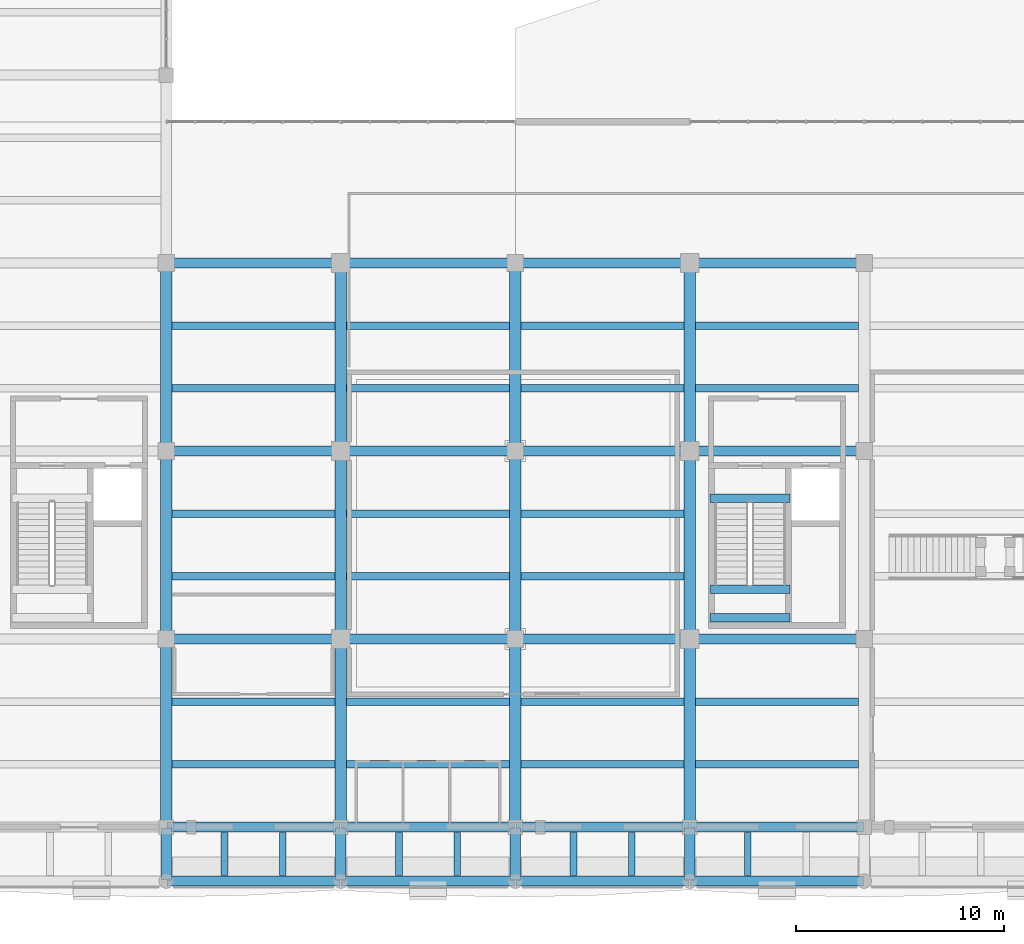
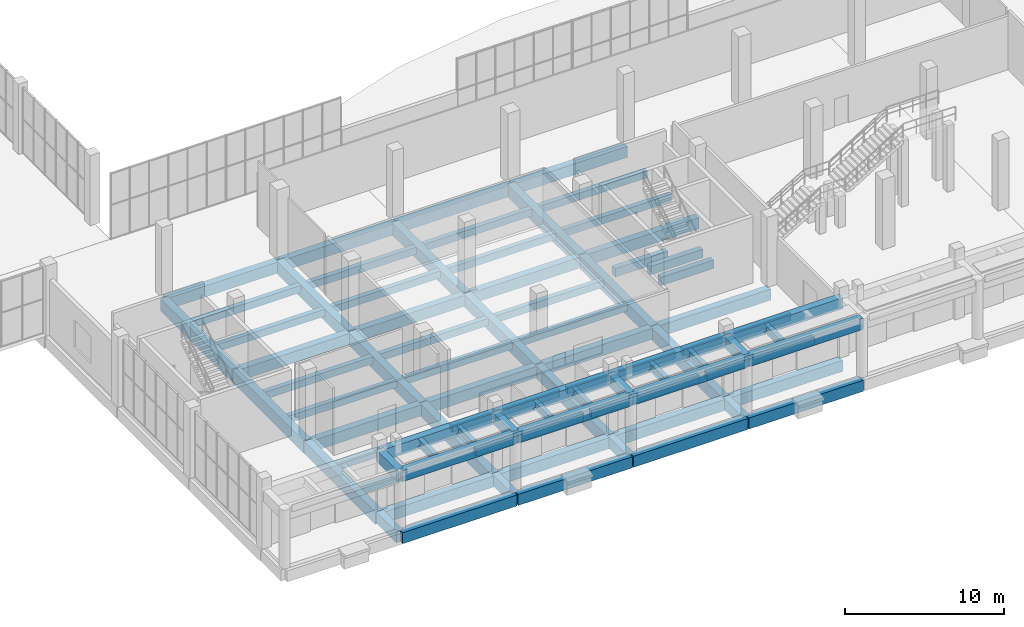
# One storey, part 7 of 91: 80 beams.
"""IFC4 building model written with IfcOpenShell, lengths in metres."""

from ifc_helpers import new_model, si_unit, direction, frame, origin, origin_2d, place, context, subcontext, project, spatial, rectangle, i_section, extrude, material, material_profile, profile_set, type_object, element, save


model = new_model("IFC4")

# Units and contexts
model_context = context("Model", 3, precision=1e-05, world=origin(), true_north=direction((0.0, 1.0)))
body_context = subcontext(model_context, "Body", "Model", "MODEL_VIEW")
ifc_project = project(units=[si_unit("LENGTHUNIT", "METRE"), si_unit("AREAUNIT", "SQUARE_METRE"), si_unit("VOLUMEUNIT", "CUBIC_METRE"), si_unit("PLANEANGLEUNIT", "RADIAN"), si_unit("MASSUNIT", "GRAM", prefix="KILO")], contexts=[model_context])

# Site, building, storey
site_placement = place(None, origin())
site = spatial("IfcSite", under=ifc_project, at=site_placement, CompositionType="ELEMENT")
building_placement = place(site_placement, origin())
building = spatial("IfcBuilding", under=site, at=building_placement, Name="Khurvash Pelagic Aquarium", CompositionType="ELEMENT")
storey_placement = place(building_placement, origin())
storey = spatial("IfcBuildingStorey", under=building, at=storey_placement, Name="L00", CompositionType="ELEMENT", Elevation=0.0)

# Beams
ifc_material_1 = material(Name="Concrete C40/50", Category="concrete")
ifc_material_profile_1 = material_profile(ifc_material_1, rectangle(XDim=0.550048828125, YDim=0.949951171875, at=origin_2d()), Name="RC550X950")
ifc_profile_set_1 = profile_set([ifc_material_profile_1], Name="Concrete C40/50")
beam_type_1 = type_object("IfcBeamType", Name="BM-02", PredefinedType="BEAM", material=ifc_profile_set_1)
beam_1_placement = place(storey_placement, frame((33.60009765625, 2.639892578125, -0.794921875), z_axis=(0.0, 1.0, 0.0), x_axis=(-1.0, 0.0, 0.0)))
element("IfcBeam", 1, at=beam_1_placement, inside=storey, type_object=beam_type_1, Name="L00 Primary Girder BM-02 00088", PredefinedType="BEAM", context=body_context, shape_type="SweptSolid", body=[
    extrude(rectangle(XDim=0.550048828125, YDim=0.949951171875, at=origin_2d()), origin(), (0.0, 0.0, 1.0), 8.97021484375),
])
for number, where, z_axis, x_axis, name in (
    (2, (33.60009765625, 11.68994140625, -0.794921875), (0.0, 1.0, 0.0), (-1.0, 0.0, 0.0), "L00 Primary Girder BM-02 00089"),
    (3, (33.60009765625, 20.739990234375, -0.794921875), (0.0, 1.0, 0.0), (-1.0, 0.0, 0.0), "L00 Primary Girder BM-02 00090"),
):
    element("IfcBeam", number, at=place(storey_placement, frame(where, z_axis=z_axis, x_axis=x_axis)), inside=storey, type_object=beam_type_1, Name=name, PredefinedType="BEAM", context=body_context, shape_type="SweptSolid", body=[
        extrude(rectangle(XDim=0.550048828125, YDim=0.949951171875, at=origin_2d()), origin(), (0.0, 0.0, 1.0), 8.969970703125),
    ])
beam_2_placement = place(storey_placement, frame((42.0, 2.639892578125, -0.794921875), z_axis=(0.0, 1.0, 0.0), x_axis=(-1.0, 0.0, 0.0)))
element("IfcBeam", 4, at=beam_2_placement, inside=storey, type_object=beam_type_1, Name="L00 Primary Girder BM-02 00097", PredefinedType="BEAM", context=body_context, shape_type="SweptSolid", body=[
    extrude(rectangle(XDim=0.550048828125, YDim=0.949951171875, at=origin_2d()), origin(), (0.0, 0.0, 1.0), 8.97021484375),
])
for number, where, z_axis, x_axis, name in (
    (5, (42.0, 11.68994140625, -0.794921875), (0.0, 1.0, 0.0), (-1.0, 0.0, 0.0), "L00 Primary Girder BM-02 00098"),
    (6, (42.0, 20.739990234375, -0.794921875), (0.0, 1.0, 0.0), (-1.0, 0.0, 0.0), "L00 Primary Girder BM-02 00099"),
):
    element("IfcBeam", number, at=place(storey_placement, frame(where, z_axis=z_axis, x_axis=x_axis)), inside=storey, type_object=beam_type_1, Name=name, PredefinedType="BEAM", context=body_context, shape_type="SweptSolid", body=[
        extrude(rectangle(XDim=0.550048828125, YDim=0.949951171875, at=origin_2d()), origin(), (0.0, 0.0, 1.0), 8.969970703125),
    ])
beam_3_placement = place(storey_placement, frame((50.39990234375, 2.639892578125, -0.794921875), z_axis=(0.0, 1.0, 0.0), x_axis=(-1.0, 0.0, 0.0)))
element("IfcBeam", 7, at=beam_3_placement, inside=storey, type_object=beam_type_1, Name="L00 Primary Girder BM-02 00100", PredefinedType="BEAM", context=body_context, shape_type="SweptSolid", body=[
    extrude(rectangle(XDim=0.550048828125, YDim=0.949951171875, at=origin_2d()), origin(), (0.0, 0.0, 1.0), 8.97021484375),
])
for number, where, z_axis, x_axis, name in (
    (8, (50.39990234375, 11.68994140625, -0.794921875), (0.0, 1.0, 0.0), (-1.0, 0.0, 0.0), "L00 Primary Girder BM-02 00101"),
    (9, (50.39990234375, 20.739990234375, -0.794921875), (0.0, 1.0, 0.0), (-1.0, 0.0, 0.0), "L00 Primary Girder BM-02 00102"),
):
    element("IfcBeam", number, at=place(storey_placement, frame(where, z_axis=z_axis, x_axis=x_axis)), inside=storey, type_object=beam_type_1, Name=name, PredefinedType="BEAM", context=body_context, shape_type="SweptSolid", body=[
        extrude(rectangle(XDim=0.550048828125, YDim=0.949951171875, at=origin_2d()), origin(), (0.0, 0.0, 1.0), 8.969970703125),
    ])
beam_4_placement = place(storey_placement, frame((58.800048828125, 2.639892578125, -0.794921875), z_axis=(0.0, 1.0, 0.0), x_axis=(-1.0, 0.0, 0.0)))
element("IfcBeam", 10, at=beam_4_placement, inside=storey, type_object=beam_type_1, Name="L00 Primary Girder BM-02 00103", PredefinedType="BEAM", context=body_context, shape_type="SweptSolid", body=[
    extrude(rectangle(XDim=0.550048828125, YDim=0.949951171875, at=origin_2d()), origin(), (0.0, 0.0, 1.0), 8.97021484375),
])
for number, where, z_axis, x_axis, name in (
    (11, (58.800048828125, 11.68994140625, -0.794921875), (0.0, 1.0, 0.0), (-1.0, 0.0, 0.0), "L00 Primary Girder BM-02 00104"),
    (12, (58.800048828125, 20.739990234375, -0.794921875), (0.0, 1.0, 0.0), (-1.0, 0.0, 0.0), "L00 Primary Girder BM-02 00105"),
):
    element("IfcBeam", number, at=place(storey_placement, frame(where, z_axis=z_axis, x_axis=x_axis)), inside=storey, type_object=beam_type_1, Name=name, PredefinedType="BEAM", context=body_context, shape_type="SweptSolid", body=[
        extrude(rectangle(XDim=0.550048828125, YDim=0.949951171875, at=origin_2d()), origin(), (0.0, 0.0, 1.0), 8.969970703125),
    ])
ifc_material_profile_2 = material_profile(ifc_material_1, rectangle(XDim=0.5, YDim=0.85009765625, at=origin_2d()), Name="RC500X850")
ifc_profile_set_2 = profile_set([ifc_material_profile_2], Name="Concrete C40/50")
beam_type_2 = type_object("IfcBeamType", Name="BM-03", PredefinedType="BEAM", material=ifc_profile_set_2)
for number, where, z_axis, x_axis, name in (
    (13, (33.639892578125, 11.64990234375, -0.7451171875), (1.0, 0.0, 0.0), (0.0, 1.0, 0.0), "L00 Primary Girder BM-03 00012"),
    (14, (42.0400390625, 11.64990234375, -0.7451171875), (1.0, 0.0, 0.0), (0.0, 1.0, 0.0), "L00 Primary Girder BM-03 00013"),
    (15, (50.43994140625, 11.64990234375, -0.7451171875), (1.0, 0.0, 0.0), (0.0, 1.0, 0.0), "L00 Primary Girder BM-03 00014"),
):
    element("IfcBeam", number, at=place(storey_placement, frame(where, z_axis=z_axis, x_axis=x_axis)), inside=storey, type_object=beam_type_2, Name=name, PredefinedType="BEAM", context=body_context, shape_type="SweptSolid", body=[
        extrude(rectangle(XDim=0.5, YDim=0.85009765625, at=origin_2d()), origin(), (0.0, 0.0, 1.0), 8.320068359375),
    ])
beam_5_placement = place(storey_placement, frame((58.840087890625, 11.64990234375, -0.7451171875), z_axis=(1.0, 0.0, 0.0), x_axis=(0.0, 1.0, 0.0)))
element("IfcBeam", 16, at=beam_5_placement, inside=storey, type_object=beam_type_2, Name="L00 Primary Girder BM-03 00015", PredefinedType="BEAM", context=body_context, shape_type="SweptSolid", body=[
    extrude(rectangle(XDim=0.5, YDim=0.85009765625, at=origin_2d()), origin(), (0.0, 0.0, 1.0), 8.31982421875),
])
for number, where, z_axis, x_axis, name in (
    (17, (33.639892578125, 20.699951171875, -0.7451171875), (1.0, 0.0, 0.0), (0.0, 1.0, 0.0), "L00 Primary Girder BM-03 00022"),
    (18, (42.0400390625, 20.699951171875, -0.7451171875), (1.0, 0.0, 0.0), (0.0, 1.0, 0.0), "L00 Primary Girder BM-03 00023"),
    (19, (50.43994140625, 20.699951171875, -0.7451171875), (1.0, 0.0, 0.0), (0.0, 1.0, 0.0), "L00 Primary Girder BM-03 00024"),
):
    element("IfcBeam", number, at=place(storey_placement, frame(where, z_axis=z_axis, x_axis=x_axis)), inside=storey, type_object=beam_type_2, Name=name, PredefinedType="BEAM", context=body_context, shape_type="SweptSolid", body=[
        extrude(rectangle(XDim=0.5, YDim=0.85009765625, at=origin_2d()), origin(), (0.0, 0.0, 1.0), 8.320068359375),
    ])
beam_6_placement = place(storey_placement, frame((58.840087890625, 20.699951171875, -0.7451171875), z_axis=(1.0, 0.0, 0.0), x_axis=(0.0, 1.0, 0.0)))
element("IfcBeam", 20, at=beam_6_placement, inside=storey, type_object=beam_type_2, Name="L00 Primary Girder BM-03 00025", PredefinedType="BEAM", context=body_context, shape_type="SweptSolid", body=[
    extrude(rectangle(XDim=0.5, YDim=0.85009765625, at=origin_2d()), origin(), (0.0, 0.0, 1.0), 8.31982421875),
])
for number, where, z_axis, x_axis, name in (
    (21, (33.639892578125, 29.75, -0.7451171875), (1.0, 0.0, 0.0), (0.0, 1.0, 0.0), "L00 Primary Girder BM-03 00032"),
    (22, (42.0400390625, 29.75, -0.7451171875), (1.0, 0.0, 0.0), (0.0, 1.0, 0.0), "L00 Primary Girder BM-03 00033"),
    (23, (50.43994140625, 29.75, -0.7451171875), (1.0, 0.0, 0.0), (0.0, 1.0, 0.0), "L00 Primary Girder BM-03 00034"),
):
    element("IfcBeam", number, at=place(storey_placement, frame(where, z_axis=z_axis, x_axis=x_axis)), inside=storey, type_object=beam_type_2, Name=name, PredefinedType="BEAM", context=body_context, shape_type="SweptSolid", body=[
        extrude(rectangle(XDim=0.5, YDim=0.85009765625, at=origin_2d()), origin(), (0.0, 0.0, 1.0), 8.320068359375),
    ])
beam_7_placement = place(storey_placement, frame((58.840087890625, 29.75, -0.7451171875), z_axis=(1.0, 0.0, 0.0), x_axis=(0.0, 1.0, 0.0)))
element("IfcBeam", 24, at=beam_7_placement, inside=storey, type_object=beam_type_2, Name="L00 Primary Girder BM-03 00035", PredefinedType="BEAM", context=body_context, shape_type="SweptSolid", body=[
    extrude(rectangle(XDim=0.5, YDim=0.85009765625, at=origin_2d()), origin(), (0.0, 0.0, 1.0), 8.31982421875),
])
ifc_material_2 = material(Name="Concrete C35/45", Category="concrete")
ifc_material_profile_3 = material_profile(ifc_material_2, rectangle(XDim=0.39990234375, YDim=0.64990234375, at=origin_2d()), Name="RC400X650")
ifc_profile_set_3 = profile_set([ifc_material_profile_3], Name="Concrete C35/45")
beam_type_3 = type_object("IfcBeamType", Name="BM-05", PredefinedType="BEAM", material=ifc_profile_set_3)
for number, where, z_axis, x_axis, name in (
    (25, (59.780029296875, 18.429931640625, -0.64501953125), (1.0, 0.0, 0.0), (0.0, 1.0, 0.0), "L00 Stair ST-02 Header Trimmer Beam BM-05"),
    (26, (59.780029296875, 12.669921875, 2.175048828125), (1.0, 0.0, 0.0), (0.0, 1.0, 0.0), "L00 Stair ST-02 Mid-Landing Trimmer Beam BM-05"),
    (27, (59.780029296875, 14.0400390625, 2.175048828125), (1.0, 0.0, 0.0), (0.0, 1.0, 0.0), "L00 Stair ST-02 Mid-Landing Trimmer Beam BM-05"),
):
    element("IfcBeam", number, at=place(storey_placement, frame(where, z_axis=z_axis, x_axis=x_axis)), inside=storey, type_object=beam_type_3, Name=name, PredefinedType="BEAM", context=body_context, shape_type="SweptSolid", body=[
        extrude(rectangle(XDim=0.39990234375, YDim=0.64990234375, at=origin_2d()), origin(), (0.0, 0.0, 1.0), 3.840087890625),
    ])
ifc_material_3 = material(Name="Steel ASTM A992 Grade 50", Category="steel")
ifc_material_profile_4 = material_profile(ifc_material_3, i_section(OverallWidth=0.324951171875, OverallDepth=0.612060546875, WebThickness=0.0126953125, FlangeThickness=0.01904296875, at=origin_2d()), Name="W24X104")
ifc_profile_set_4 = profile_set([ifc_material_profile_4], Name="Steel ASTM A992 Grade 50")
beam_type_4 = type_object("IfcBeamType", Name="BM-15", PredefinedType="BEAM", material=ifc_profile_set_4)
for number, where, z_axis, x_axis, name in (
    (28, (36.39697265625, 2.340087890625, 4.194091796875), (0.0, -1.0, 0.0), (1.0, 0.0, 0.0), "L00 Boulevard Arcade Raked Canopy Rib BM-15"),
    (29, (39.202880859375, 2.340087890625, 4.194091796875), (0.0, -1.0, 0.0), (1.0, 0.0, 0.0), "L00 Boulevard Arcade Raked Canopy Rib BM-15"),
    (30, (44.797119140625, 2.340087890625, 4.194091796875), (0.0, -1.0, 0.0), (1.0, 0.0, 0.0), "L00 Boulevard Arcade Raked Canopy Rib BM-15"),
    (31, (47.60302734375, 2.340087890625, 4.194091796875), (0.0, -1.0, 0.0), (1.0, 0.0, 0.0), "L00 Boulevard Arcade Raked Canopy Rib BM-15"),
    (32, (53.197021484375, 2.340087890625, 4.194091796875), (0.0, -1.0, 0.0), (1.0, 0.0, 0.0), "L00 Boulevard Arcade Raked Canopy Rib BM-15"),
    (33, (56.0029296875, 2.340087890625, 4.194091796875), (0.0, -1.0, 0.0), (1.0, 0.0, 0.0), "L00 Boulevard Arcade Raked Canopy Rib BM-15"),
    (34, (61.596923828125, 2.340087890625, 4.194091796875), (0.0, -1.0, 0.0), (1.0, 0.0, 0.0), "L00 Boulevard Arcade Raked Canopy Rib BM-15"),
):
    element("IfcBeam", number, at=place(storey_placement, frame(where, z_axis=z_axis, x_axis=x_axis)), inside=storey, type_object=beam_type_4, Name=name, PredefinedType="BEAM", context=body_context, shape_type="SweptSolid", body=[
        extrude(i_section(OverallWidth=0.324951171875, OverallDepth=0.612060546875, WebThickness=0.0126953125, FlangeThickness=0.01904296875, at=origin_2d()), origin(), (0.0, 0.0, 1.0), 2.080078125),
    ])
ifc_material_profile_5 = material_profile(ifc_material_2, rectangle(XDim=0.35009765625, YDim=0.550048828125, at=origin_2d()), Name="RC350X550")
ifc_profile_set_5 = profile_set([ifc_material_profile_5], Name="Concrete C35/45")
beam_type_5 = type_object("IfcBeamType", Name="JS-01", PredefinedType="JOIST", material=ifc_profile_set_5)
for number, where, z_axis, x_axis, name in (
    (35, (33.875, 5.616943359375, -0.594970703125), (1.0, 0.0, 0.0), (0.0, 1.0, 0.0), "L00 Floor Joist JS-01 00169"),
    (36, (33.875, 8.633056640625, -0.594970703125), (1.0, 0.0, 0.0), (0.0, 1.0, 0.0), "L00 Floor Joist JS-01 00170"),
    (37, (33.875, 14.6669921875, -0.594970703125), (1.0, 0.0, 0.0), (0.0, 1.0, 0.0), "L00 Floor Joist JS-01 00171"),
    (38, (33.875, 17.68310546875, -0.594970703125), (1.0, 0.0, 0.0), (0.0, 1.0, 0.0), "L00 Floor Joist JS-01 00172"),
    (39, (33.875, 23.717041015625, -0.594970703125), (1.0, 0.0, 0.0), (0.0, 1.0, 0.0), "L00 Floor Joist JS-01 00173"),
    (40, (33.875, 26.73291015625, -0.594970703125), (1.0, 0.0, 0.0), (0.0, 1.0, 0.0), "L00 Floor Joist JS-01 00174"),
    (41, (42.27490234375, 5.616943359375, -0.594970703125), (1.0, 0.0, 0.0), (0.0, 1.0, 0.0), "L00 Floor Joist JS-01 00175"),
    (42, (42.27490234375, 8.633056640625, -0.594970703125), (1.0, 0.0, 0.0), (0.0, 1.0, 0.0), "L00 Floor Joist JS-01 00176"),
    (43, (42.27490234375, 14.6669921875, -0.594970703125), (1.0, 0.0, 0.0), (0.0, 1.0, 0.0), "L00 Floor Joist JS-01 00177"),
    (44, (42.27490234375, 17.68310546875, -0.594970703125), (1.0, 0.0, 0.0), (0.0, 1.0, 0.0), "L00 Floor Joist JS-01 00178"),
    (45, (42.27490234375, 23.717041015625, -0.594970703125), (1.0, 0.0, 0.0), (0.0, 1.0, 0.0), "L00 Floor Joist JS-01 00179"),
    (46, (42.27490234375, 26.73291015625, -0.594970703125), (1.0, 0.0, 0.0), (0.0, 1.0, 0.0), "L00 Floor Joist JS-01 00180"),
):
    element("IfcBeam", number, at=place(storey_placement, frame(where, z_axis=z_axis, x_axis=x_axis)), inside=storey, type_object=beam_type_5, Name=name, PredefinedType="JOIST", context=body_context, shape_type="SweptSolid", body=[
        extrude(rectangle(XDim=0.35009765625, YDim=0.550048828125, at=origin_2d()), origin(), (0.0, 0.0, 1.0), 7.85009765625),
    ])
for number, where, z_axis, x_axis, name in (
    (47, (50.675048828125, 5.616943359375, -0.594970703125), (1.0, 0.0, 0.0), (0.0, 1.0, 0.0), "L00 Floor Joist JS-01 00181"),
    (48, (50.675048828125, 8.633056640625, -0.594970703125), (1.0, 0.0, 0.0), (0.0, 1.0, 0.0), "L00 Floor Joist JS-01 00182"),
    (49, (50.675048828125, 14.6669921875, -0.594970703125), (1.0, 0.0, 0.0), (0.0, 1.0, 0.0), "L00 Floor Joist JS-01 00183"),
    (50, (50.675048828125, 17.68310546875, -0.594970703125), (1.0, 0.0, 0.0), (0.0, 1.0, 0.0), "L00 Floor Joist JS-01 00184"),
    (51, (50.675048828125, 23.717041015625, -0.594970703125), (1.0, 0.0, 0.0), (0.0, 1.0, 0.0), "L00 Floor Joist JS-01 00185"),
    (52, (50.675048828125, 26.73291015625, -0.594970703125), (1.0, 0.0, 0.0), (0.0, 1.0, 0.0), "L00 Floor Joist JS-01 00186"),
):
    element("IfcBeam", number, at=place(storey_placement, frame(where, z_axis=z_axis, x_axis=x_axis)), inside=storey, type_object=beam_type_5, Name=name, PredefinedType="JOIST", context=body_context, shape_type="SweptSolid", body=[
        extrude(rectangle(XDim=0.35009765625, YDim=0.550048828125, at=origin_2d()), origin(), (0.0, 0.0, 1.0), 7.849853515625),
    ])
for number, where, z_axis, x_axis, name in (
    (53, (59.074951171875, 5.616943359375, -0.594970703125), (1.0, 0.0, 0.0), (0.0, 1.0, 0.0), "L00 Floor Joist JS-01 00187"),
    (54, (59.074951171875, 8.633056640625, -0.594970703125), (1.0, 0.0, 0.0), (0.0, 1.0, 0.0), "L00 Floor Joist JS-01 00188"),
    (55, (59.074951171875, 23.717041015625, -0.594970703125), (1.0, 0.0, 0.0), (0.0, 1.0, 0.0), "L00 Floor Joist JS-01 00189"),
    (56, (59.074951171875, 26.73291015625, -0.594970703125), (1.0, 0.0, 0.0), (0.0, 1.0, 0.0), "L00 Floor Joist JS-01 00190"),
):
    element("IfcBeam", number, at=place(storey_placement, frame(where, z_axis=z_axis, x_axis=x_axis)), inside=storey, type_object=beam_type_5, Name=name, PredefinedType="JOIST", context=body_context, shape_type="SweptSolid", body=[
        extrude(rectangle(XDim=0.35009765625, YDim=0.550048828125, at=origin_2d()), origin(), (0.0, 0.0, 1.0), 7.85009765625),
    ])
ifc_material_profile_6 = material_profile(ifc_material_1, rectangle(XDim=0.5, YDim=0.85009765625, at=origin_2d()), Name="RC500X850")
ifc_profile_set_6 = profile_set([ifc_material_profile_6], Name="Concrete C40/50")
beam_type_6 = type_object("IfcBeamType", Name="SEB-03", PredefinedType="SPANDREL", material=ifc_profile_set_6)
for number, where, z_axis, x_axis, name in (
    (57, (33.639892578125, 2.60009765625, -0.7451171875), (1.0, 0.0, 0.0), (0.0, 1.0, 0.0), "L00 Primary Girder SEB-03 00002"),
    (58, (42.0400390625, 2.60009765625, -0.7451171875), (1.0, 0.0, 0.0), (0.0, 1.0, 0.0), "L00 Primary Girder SEB-03 00003"),
    (59, (50.43994140625, 2.60009765625, -0.7451171875), (1.0, 0.0, 0.0), (0.0, 1.0, 0.0), "L00 Primary Girder SEB-03 00004"),
):
    element("IfcBeam", number, at=place(storey_placement, frame(where, z_axis=z_axis, x_axis=x_axis)), inside=storey, type_object=beam_type_6, Name=name, PredefinedType="SPANDREL", context=body_context, shape_type="SweptSolid", body=[
        extrude(rectangle(XDim=0.5, YDim=0.85009765625, at=origin_2d()), origin(), (0.0, 0.0, 1.0), 8.320068359375),
    ])
beam_8_placement = place(storey_placement, frame((58.840087890625, 2.60009765625, -0.7451171875), z_axis=(1.0, 0.0, 0.0), x_axis=(0.0, 1.0, 0.0)))
element("IfcBeam", 60, at=beam_8_placement, inside=storey, type_object=beam_type_6, Name="L00 Primary Girder SEB-03 00005", PredefinedType="SPANDREL", context=body_context, shape_type="SweptSolid", body=[
    extrude(rectangle(XDim=0.5, YDim=0.85009765625, at=origin_2d()), origin(), (0.0, 0.0, 1.0), 8.31982421875),
])
for number, where, z_axis, x_axis, name in (
    (61, (33.639892578125, 0.0, -0.695068359375), (1.0, 0.0, 0.0), (0.0, 1.0, 0.0), "L00 Boulevard Arcade Grade Beam SEB-03"),
    (62, (33.639892578125, 0.0, 4.074951171875), (1.0, 0.0, 0.0), (0.0, 1.0, 0.0), "L00 Boulevard Arcade Canopy Edge Beam SEB-03"),
    (63, (33.639892578125, 2.60009765625, 4.074951171875), (1.0, 0.0, 0.0), (0.0, 1.0, 0.0), "L00 Boulevard Arcade Rear Canopy Girder SEB-03"),
    (64, (42.0400390625, 0.0, -0.695068359375), (1.0, 0.0, 0.0), (0.0, 1.0, 0.0), "L00 Boulevard Arcade Grade Beam SEB-03"),
    (65, (42.0400390625, 0.0, 4.074951171875), (1.0, 0.0, 0.0), (0.0, 1.0, 0.0), "L00 Boulevard Arcade Canopy Edge Beam SEB-03"),
    (66, (42.0400390625, 2.60009765625, 4.074951171875), (1.0, 0.0, 0.0), (0.0, 1.0, 0.0), "L00 Boulevard Arcade Rear Canopy Girder SEB-03"),
    (67, (50.43994140625, 0.0, -0.695068359375), (1.0, 0.0, 0.0), (0.0, 1.0, 0.0), "L00 Boulevard Arcade Grade Beam SEB-03"),
    (68, (50.43994140625, 0.0, 4.074951171875), (1.0, 0.0, 0.0), (0.0, 1.0, 0.0), "L00 Boulevard Arcade Canopy Edge Beam SEB-03"),
    (69, (50.43994140625, 2.60009765625, 4.074951171875), (1.0, 0.0, 0.0), (0.0, 1.0, 0.0), "L00 Boulevard Arcade Rear Canopy Girder SEB-03"),
):
    element("IfcBeam", number, at=place(storey_placement, frame(where, z_axis=z_axis, x_axis=x_axis)), inside=storey, type_object=beam_type_6, Name=name, PredefinedType="SPANDREL", context=body_context, shape_type="SweptSolid", body=[
        extrude(rectangle(XDim=0.5, YDim=0.85009765625, at=origin_2d()), origin(), (0.0, 0.0, 1.0), 8.320068359375),
    ])
for number, where, z_axis, x_axis, name in (
    (70, (58.840087890625, 0.0, -0.695068359375), (1.0, 0.0, 0.0), (0.0, 1.0, 0.0), "L00 Boulevard Arcade Grade Beam SEB-03"),
    (71, (58.840087890625, 0.0, 4.074951171875), (1.0, 0.0, 0.0), (0.0, 1.0, 0.0), "L00 Boulevard Arcade Canopy Edge Beam SEB-03"),
    (72, (58.840087890625, 2.60009765625, 4.074951171875), (1.0, 0.0, 0.0), (0.0, 1.0, 0.0), "L00 Boulevard Arcade Rear Canopy Girder SEB-03"),
):
    element("IfcBeam", number, at=place(storey_placement, frame(where, z_axis=z_axis, x_axis=x_axis)), inside=storey, type_object=beam_type_6, Name=name, PredefinedType="SPANDREL", context=body_context, shape_type="SweptSolid", body=[
        extrude(rectangle(XDim=0.5, YDim=0.85009765625, at=origin_2d()), origin(), (0.0, 0.0, 1.0), 8.31982421875),
    ])
for number, where, z_axis, x_axis, name in (
    (73, (33.60009765625, 0.0400390625, -0.695068359375), (0.0, 1.0, 0.0), (-1.0, 0.0, 0.0), "L00 Boulevard Arcade Transverse Grade Beam SEB-03"),
    (74, (33.60009765625, 0.0400390625, 4.074951171875), (0.0, 1.0, 0.0), (-1.0, 0.0, 0.0), "L00 Boulevard Arcade Canopy Tie Beam SEB-03"),
    (75, (42.0, 0.0400390625, -0.695068359375), (0.0, 1.0, 0.0), (-1.0, 0.0, 0.0), "L00 Boulevard Arcade Transverse Grade Beam SEB-03"),
    (76, (42.0, 0.0400390625, 4.074951171875), (0.0, 1.0, 0.0), (-1.0, 0.0, 0.0), "L00 Boulevard Arcade Canopy Tie Beam SEB-03"),
    (77, (50.39990234375, 0.0400390625, -0.695068359375), (0.0, 1.0, 0.0), (-1.0, 0.0, 0.0), "L00 Boulevard Arcade Transverse Grade Beam SEB-03"),
    (78, (50.39990234375, 0.0400390625, 4.074951171875), (0.0, 1.0, 0.0), (-1.0, 0.0, 0.0), "L00 Boulevard Arcade Canopy Tie Beam SEB-03"),
    (79, (58.800048828125, 0.0400390625, -0.695068359375), (0.0, 1.0, 0.0), (-1.0, 0.0, 0.0), "L00 Boulevard Arcade Transverse Grade Beam SEB-03"),
    (80, (58.800048828125, 0.0400390625, 4.074951171875), (0.0, 1.0, 0.0), (-1.0, 0.0, 0.0), "L00 Boulevard Arcade Canopy Tie Beam SEB-03"),
):
    element("IfcBeam", number, at=place(storey_placement, frame(where, z_axis=z_axis, x_axis=x_axis)), inside=storey, type_object=beam_type_6, Name=name, PredefinedType="SPANDREL", context=body_context, shape_type="SweptSolid", body=[
        extrude(rectangle(XDim=0.5, YDim=0.85009765625, at=origin_2d()), origin(), (0.0, 0.0, 1.0), 2.52001953125),
    ])

save(model, "model.ifc")
